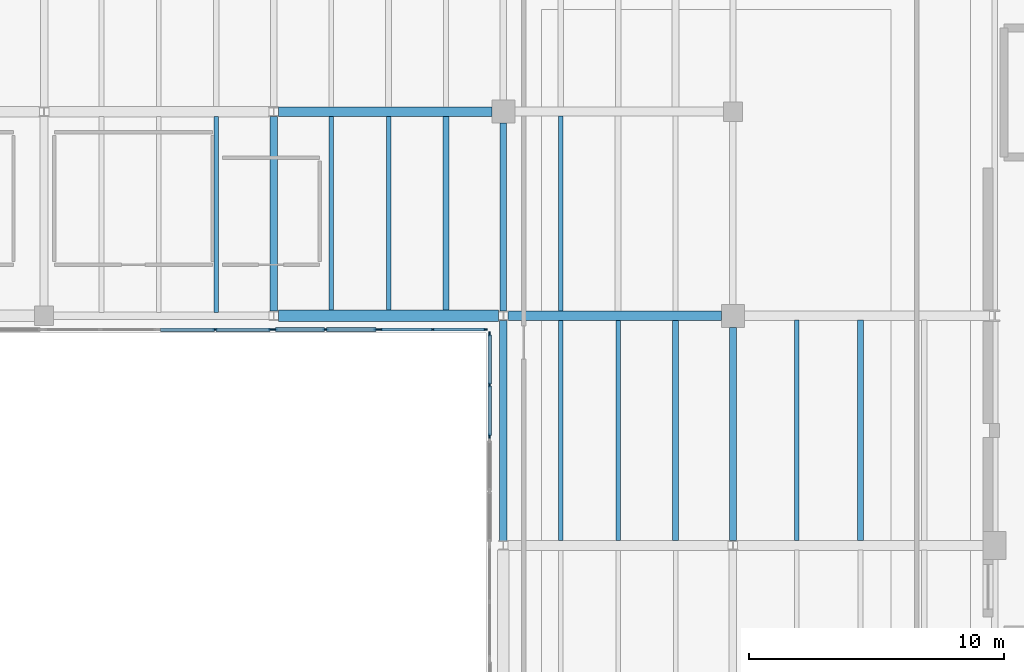
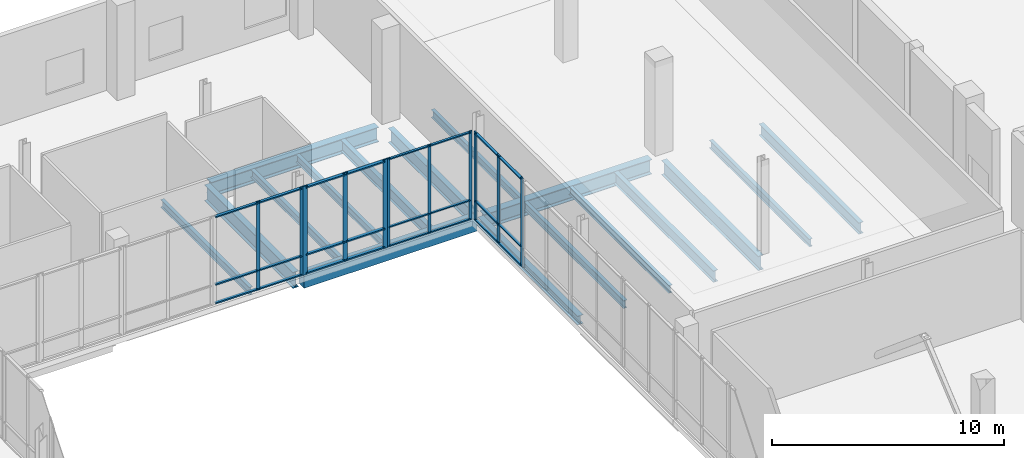
# One storey, part 36 of 81: 35 members, 17 beams, 4 elements without a shape of their own.
"""IFC4 building model written with IfcOpenShell, lengths in metres."""

from ifc_helpers import new_model, si_unit, direction, frame, origin, origin_2d, place, context, subcontext, project, spatial, rectangle, i_section, extrude, material, material_profile, profile_set, type_object, element, aggregate, save


model = new_model("IFC4")

# Units and contexts
model_context = context("Model", 3, precision=1e-05, world=origin(), true_north=direction((0.0, 1.0)))
body_context = subcontext(model_context, "Body", "Model", "MODEL_VIEW")
ifc_project = project(units=[si_unit("LENGTHUNIT", "METRE"), si_unit("AREAUNIT", "SQUARE_METRE"), si_unit("VOLUMEUNIT", "CUBIC_METRE"), si_unit("PLANEANGLEUNIT", "RADIAN"), si_unit("MASSUNIT", "GRAM", prefix="KILO")], contexts=[model_context])

# Site, building, storey
site_placement = place(None, origin())
site = spatial("IfcSite", under=ifc_project, at=site_placement, CompositionType="ELEMENT")
building_placement = place(site_placement, origin())
building = spatial("IfcBuilding", under=site, at=building_placement, Name="Trimount Lyric Opera House", CompositionType="ELEMENT")
storey_placement = place(building_placement, frame((0.0, 0.0, 5.0)))
storey = spatial("IfcBuildingStorey", under=building, at=storey_placement, Name="L01", CompositionType="ELEMENT", Elevation=5.0)

# Beams
ifc_material_1 = material(Name="Steel ASTM A992 Grade 50", Category="steel")
ifc_material_profile_1 = material_profile(ifc_material_1, i_section(OverallWidth=0.2919921875, OverallDepth=0.845947265625, WebThickness=0.015380859375, FlangeThickness=0.0244140625, FilletRadius=0.01806640625, at=origin_2d()), Name="W33X141")
ifc_profile_set_1 = profile_set([ifc_material_profile_1], Name="Steel ASTM A992 Grade 50")
beam_type_1 = type_object("IfcBeamType", Name="B-05", PredefinedType="BEAM", material=ifc_profile_set_1)
beam_1_placement = place(storey_placement, frame((36.0, 102.177978515625, -0.702880859375), z_axis=(0.0, 1.0, 0.0), x_axis=(-1.0, 0.0, 0.0)))
element("IfcBeam", 1, at=beam_1_placement, inside=storey, type_object=beam_type_1, Name="L01 girder Y-0625", PredefinedType="BEAM", context=body_context, shape_type="SweptSolid", body=[
    extrude(i_section(OverallWidth=0.2919921875, OverallDepth=0.845947265625, WebThickness=0.015380859375, FlangeThickness=0.0244140625, FilletRadius=0.01806640625, at=origin_2d()), origin(), (0.0, 0.0, 1.0), 7.637939453125),
])
ifc_material_2 = material(Name="Steel ASTM A992 Grade 50", Category="steel")
ifc_material_profile_2 = material_profile(ifc_material_2, i_section(OverallWidth=0.382080078125, OverallDepth=0.779052734375, WebThickness=0.01806640625, FlangeThickness=0.0302734375, FilletRadius=0.01904296875, at=origin_2d()), Name="W30X191")
ifc_profile_set_2 = profile_set([ifc_material_profile_2], Name="Steel ASTM A992 Grade 50")
beam_type_2 = type_object("IfcBeamType", Name="B-06", PredefinedType="BEAM", material=ifc_profile_set_2)
for number, where, z_axis, x_axis, name in (
    (2, (45.1865234375, 102.0, -0.66943359375), (1.0, 0.0, 0.0), (0.0, 1.0, 0.0), "L01 girder X-0554"),
    (3, (36.1865234375, 110.0, -0.66943359375), (1.0, 0.0, 0.0), (0.0, 1.0, 0.0), "L01 girder X-0567"),
):
    element("IfcBeam", number, at=place(storey_placement, frame(where, z_axis=z_axis, x_axis=x_axis)), inside=storey, type_object=beam_type_2, Name=name, PredefinedType="BEAM", context=body_context, shape_type="SweptSolid", body=[
        extrude(i_section(OverallWidth=0.382080078125, OverallDepth=0.779052734375, WebThickness=0.01806640625, FlangeThickness=0.0302734375, FilletRadius=0.01904296875, at=origin_2d()), origin(), (0.0, 0.0, 1.0), 8.363525390625),
    ])
ifc_material_3 = material(Name="Steel ASTM A992 Grade 50", Category="steel")
ifc_material_profile_3 = material_profile(ifc_material_3, i_section(OverallWidth=0.26708984375, OverallDepth=0.761962890625, WebThickness=0.014404296875, FlangeThickness=0.021484375, FilletRadius=0.01708984375, at=origin_2d()), Name="W30X116")
ifc_profile_set_3 = profile_set([ifc_material_profile_3], Name="Steel ASTM A992 Grade 50")
beam_type_3 = type_object("IfcBeamType", Name="B-07", PredefinedType="BEAM", material=ifc_profile_set_3)
beam_2_placement = place(storey_placement, frame((45.0, 102.18408203125, -0.660888671875), z_axis=(0.0, 1.0, 0.0), x_axis=(-1.0, 0.0, 0.0)))
element("IfcBeam", 4, at=beam_2_placement, inside=storey, type_object=beam_type_3, Name="L01 girder Y-0635", PredefinedType="BEAM", context=body_context, shape_type="SweptSolid", body=[
    extrude(i_section(OverallWidth=0.26708984375, OverallDepth=0.761962890625, WebThickness=0.014404296875, FlangeThickness=0.021484375, FilletRadius=0.01708984375, at=origin_2d()), origin(), (0.0, 0.0, 1.0), 7.365966796875),
])
beam_3_placement = place(storey_placement, frame((54.0, 93.18408203125, -0.660888671875), z_axis=(0.0, 1.0, 0.0), x_axis=(-1.0, 0.0, 0.0)))
element("IfcBeam", 5, at=beam_3_placement, inside=storey, type_object=beam_type_3, Name="L01 girder Y-0644", PredefinedType="BEAM", context=body_context, shape_type="SweptSolid", body=[
    extrude(i_section(OverallWidth=0.26708984375, OverallDepth=0.761962890625, WebThickness=0.014404296875, FlangeThickness=0.021484375, FilletRadius=0.01708984375, at=origin_2d()), origin(), (0.0, 0.0, 1.0), 8.365966796875),
])
ifc_material_4 = material(Name="Steel ASTM A992 Grade 50", Category="steel")
ifc_material_profile_4 = material_profile(ifc_material_4, i_section(OverallWidth=0.22802734375, OverallDepth=0.60205078125, WebThickness=0.010498046875, FlangeThickness=0.014892578125, FilletRadius=0.012939453125, at=origin_2d()), Name="W24X68")
ifc_profile_set_4 = profile_set([ifc_material_profile_4], Name="Steel ASTM A992 Grade 50")
beam_type_4 = type_object("IfcBeamType", Name="J-01", PredefinedType="BEAM", material=ifc_profile_set_4)
beam_4_placement = place(storey_placement, frame((42.75, 102.220947265625, -0.5810546875), z_axis=(0.0, 1.0, 0.0), x_axis=(-1.0, 0.0, 0.0)))
element("IfcBeam", 6, at=beam_4_placement, inside=storey, type_object=beam_type_4, Name="L01 composite floor joist 0629", PredefinedType="BEAM", context=body_context, shape_type="SweptSolid", body=[
    extrude(i_section(OverallWidth=0.22802734375, OverallDepth=0.60205078125, WebThickness=0.010498046875, FlangeThickness=0.014892578125, FilletRadius=0.012939453125, at=origin_2d()), origin(), (0.0, 0.0, 1.0), 7.592041015625),
])
beam_5_placement = place(storey_placement, frame((51.75, 93.196533203125, -0.5810546875), z_axis=(0.0, 1.0, 0.0), x_axis=(-1.0, 0.0, 0.0)))
element("IfcBeam", 7, at=beam_5_placement, inside=storey, type_object=beam_type_4, Name="L01 composite floor joist 0655", PredefinedType="BEAM", context=body_context, shape_type="SweptSolid", body=[
    extrude(i_section(OverallWidth=0.22802734375, OverallDepth=0.60205078125, WebThickness=0.010498046875, FlangeThickness=0.014892578125, FilletRadius=0.012939453125, at=origin_2d()), origin(), (0.0, 0.0, 1.0), 8.616455078125),
])
beam_6_placement = place(storey_placement, frame((59.0, 93.18701171875, -0.5810546875), z_axis=(0.0, 1.0, 0.0), x_axis=(-1.0, 0.0, 0.0)))
element("IfcBeam", 8, at=beam_6_placement, inside=storey, type_object=beam_type_4, Name="L01 composite floor joist 0681", PredefinedType="BEAM", context=body_context, shape_type="SweptSolid", body=[
    extrude(i_section(OverallWidth=0.22802734375, OverallDepth=0.60205078125, WebThickness=0.010498046875, FlangeThickness=0.014892578125, FilletRadius=0.012939453125, at=origin_2d()), origin(), (0.0, 0.0, 1.0), 8.638916015625),
])
ifc_material_5 = material(Name="Steel ASTM A992 Grade 50", Category="steel")
ifc_material_profile_5 = material_profile(ifc_material_5, i_section(OverallWidth=0.180908203125, OverallDepth=0.4169921875, WebThickness=0.010986328125, FlangeThickness=0.018310546875, FilletRadius=0.010986328125, at=origin_2d()), Name="W16X57")
ifc_profile_set_5 = profile_set([ifc_material_profile_5], Name="Steel ASTM A992 Grade 50")
beam_type_5 = type_object("IfcBeamType", Name="J-05", PredefinedType="BEAM", material=ifc_profile_set_5)
beam_7_placement = place(storey_placement, frame((38.25, 102.220947265625, -0.488525390625), z_axis=(0.0, 1.0, 0.0), x_axis=(-1.0, 0.0, 0.0)))
element("IfcBeam", 9, at=beam_7_placement, inside=storey, type_object=beam_type_5, Name="L01 composite floor joist 0627", PredefinedType="BEAM", context=body_context, shape_type="SweptSolid", body=[
    extrude(i_section(OverallWidth=0.180908203125, OverallDepth=0.4169921875, WebThickness=0.010986328125, FlangeThickness=0.018310546875, FilletRadius=0.010986328125, at=origin_2d()), origin(), (0.0, 0.0, 1.0), 7.592041015625),
])
beam_8_placement = place(storey_placement, frame((47.25, 93.196533203125, -0.488525390625), z_axis=(0.0, 1.0, 0.0), x_axis=(-1.0, 0.0, 0.0)))
element("IfcBeam", 10, at=beam_8_placement, inside=storey, type_object=beam_type_5, Name="L01 composite floor joist 0653", PredefinedType="BEAM", context=body_context, shape_type="SweptSolid", body=[
    extrude(i_section(OverallWidth=0.180908203125, OverallDepth=0.4169921875, WebThickness=0.010986328125, FlangeThickness=0.018310546875, FilletRadius=0.010986328125, at=origin_2d()), origin(), (0.0, 0.0, 1.0), 8.616455078125),
])
ifc_material_6 = material(Name="Steel ASTM A992 Grade 50", Category="steel")
ifc_material_profile_6 = material_profile(ifc_material_6, i_section(OverallWidth=0.177978515625, OverallDepth=0.404052734375, WebThickness=0.007568359375, FlangeThickness=0.010986328125, FilletRadius=0.010009765625, at=origin_2d()), Name="W16X36")
ifc_profile_set_6 = profile_set([ifc_material_profile_6], Name="Steel ASTM A992 Grade 50")
beam_type_6 = type_object("IfcBeamType", Name="J-06", PredefinedType="BEAM", material=ifc_profile_set_6)
beam_9_placement = place(storey_placement, frame((33.75, 102.136962890625, -0.48193359375), z_axis=(0.0, 1.0, 0.0), x_axis=(-1.0, 0.0, 0.0)))
element("IfcBeam", 11, at=beam_9_placement, inside=storey, type_object=beam_type_6, Name="L01 composite floor joist 0617", PredefinedType="BEAM", context=body_context, shape_type="SweptSolid", body=[
    extrude(i_section(OverallWidth=0.177978515625, OverallDepth=0.404052734375, WebThickness=0.007568359375, FlangeThickness=0.010986328125, FilletRadius=0.010009765625, at=origin_2d()), origin(), (0.0, 0.0, 1.0), 7.66650390625),
])
beam_10_placement = place(storey_placement, frame((40.5, 102.220947265625, -0.48193359375), z_axis=(0.0, 1.0, 0.0), x_axis=(-1.0, 0.0, 0.0)))
element("IfcBeam", 12, at=beam_10_placement, inside=storey, type_object=beam_type_6, Name="L01 composite floor joist 0628", PredefinedType="BEAM", context=body_context, shape_type="SweptSolid", body=[
    extrude(i_section(OverallWidth=0.177978515625, OverallDepth=0.404052734375, WebThickness=0.007568359375, FlangeThickness=0.010986328125, FilletRadius=0.010009765625, at=origin_2d()), origin(), (0.0, 0.0, 1.0), 7.592041015625),
])
beam_11_placement = place(storey_placement, frame((49.5, 93.196533203125, -0.48193359375), z_axis=(0.0, 1.0, 0.0), x_axis=(-1.0, 0.0, 0.0)))
element("IfcBeam", 13, at=beam_11_placement, inside=storey, type_object=beam_type_6, Name="L01 composite floor joist 0654", PredefinedType="BEAM", context=body_context, shape_type="SweptSolid", body=[
    extrude(i_section(OverallWidth=0.177978515625, OverallDepth=0.404052734375, WebThickness=0.007568359375, FlangeThickness=0.010986328125, FilletRadius=0.010009765625, at=origin_2d()), origin(), (0.0, 0.0, 1.0), 8.616455078125),
])
beam_12_placement = place(storey_placement, frame((47.25, 102.18701171875, -0.48193359375), z_axis=(0.0, 1.0, 0.0), x_axis=(-1.0, 0.0, 0.0)))
element("IfcBeam", 14, at=beam_12_placement, inside=storey, type_object=beam_type_6, Name="L01 composite floor joist 0656", PredefinedType="BEAM", context=body_context, shape_type="SweptSolid", body=[
    extrude(i_section(OverallWidth=0.177978515625, OverallDepth=0.404052734375, WebThickness=0.007568359375, FlangeThickness=0.010986328125, FilletRadius=0.010009765625, at=origin_2d()), origin(), (0.0, 0.0, 1.0), 7.638916015625),
])
beam_13_placement = place(storey_placement, frame((56.5, 93.18701171875, -0.48193359375), z_axis=(0.0, 1.0, 0.0), x_axis=(-1.0, 0.0, 0.0)))
element("IfcBeam", 15, at=beam_13_placement, inside=storey, type_object=beam_type_6, Name="L01 composite floor joist 0680", PredefinedType="BEAM", context=body_context, shape_type="SweptSolid", body=[
    extrude(i_section(OverallWidth=0.177978515625, OverallDepth=0.404052734375, WebThickness=0.007568359375, FlangeThickness=0.010986328125, FilletRadius=0.010009765625, at=origin_2d()), origin(), (0.0, 0.0, 1.0), 8.638916015625),
])

# Curtain wall, members
ifc_material_7 = material(Name="Thermally Broken Aluminium and Low-E Glass", Category="aluminium")
curtain_wall_type = type_object("IfcCurtainWallType", Name="CW-03", PredefinedType="NOTDEFINED", material=ifc_material_7)
curtain_wall_1_placement = place(storey_placement, origin())
curtain_wall_1 = element("IfcCurtainWall", 16, at=curtain_wall_1_placement, inside=storey, type_object=curtain_wall_type, Name="L01 curtain wall 156", PredefinedType="NOTDEFINED")
ifc_material_8 = material(Name="Anodised Aluminium 6063-T6", Category="aluminium")
ifc_material_profile_7 = material_profile(ifc_material_8, rectangle(XDim=0.070068359375, YDim=0.219970703125, at=origin_2d()), Name="ALU-MULL-70X220")
ifc_profile_set_7 = profile_set([ifc_material_profile_7], Name="Anodised Aluminium 6063-T6")
member_type_1 = type_object("IfcMemberType", Name="ML-01", PredefinedType="MULLION", material=ifc_profile_set_7)
member_1_placement = place(storey_placement, frame((40.034912109375, 101.4599609375, 0.0), z_axis=(0.0, 0.0, 1.0), x_axis=(0.0, -1.0, 0.0)))
member_1 = element("IfcMember", 17, at=member_1_placement, type_object=member_type_1, Name="CW-03 mullion 1", PredefinedType="MULLION", context=body_context, shape_type="SweptSolid", body=[
    extrude(rectangle(XDim=0.070068359375, YDim=0.219970703125, at=origin_2d()), origin(), (0.0, 0.0, 1.0), 4.679931640625),
])
member_2_placement = place(storey_placement, frame((38.034912109375, 101.4599609375, 0.0), z_axis=(0.0, 0.0, 1.0), x_axis=(0.0, -1.0, 0.0)))
member_2 = element("IfcMember", 18, at=member_2_placement, type_object=member_type_1, Name="CW-03 mullion 2", PredefinedType="MULLION", context=body_context, shape_type="SweptSolid", body=[
    extrude(rectangle(XDim=0.070068359375, YDim=0.219970703125, at=origin_2d()), origin(), (0.0, 0.0, 1.0), 4.679931640625),
])
member_3_placement = place(storey_placement, frame((36.034912109375, 101.4599609375, 0.0), z_axis=(0.0, 0.0, 1.0), x_axis=(0.0, -1.0, 0.0)))
member_3 = element("IfcMember", 19, at=member_3_placement, type_object=member_type_1, Name="CW-03 mullion 3", PredefinedType="MULLION", context=body_context, shape_type="SweptSolid", body=[
    extrude(rectangle(XDim=0.070068359375, YDim=0.219970703125, at=origin_2d()), origin(), (0.0, 0.0, 1.0), 4.679931640625),
])

curtain_wall_2_placement = place(storey_placement, origin())
curtain_wall_2 = element("IfcCurtainWall", 20, at=curtain_wall_2_placement, inside=storey, type_object=curtain_wall_type, Name="L01 curtain wall 154", PredefinedType="NOTDEFINED")
ifc_material_9 = material(Name="Anodised Aluminium 6063-T6", Category="aluminium")
ifc_material_profile_8 = material_profile(ifc_material_9, rectangle(XDim=0.06494140625, YDim=0.179931640625, at=origin_2d()), Name="ALU-MULL-65X180")
ifc_profile_set_8 = profile_set([ifc_material_profile_8], Name="Anodised Aluminium 6063-T6")
member_type_2 = type_object("IfcMemberType", Name="ML-02", PredefinedType="MULLION", material=ifc_profile_set_8)
member_4_placement = place(storey_placement, frame((44.4599609375, 97.282470703125, 0.0), z_axis=(0.0, 0.0, 1.0), x_axis=(-1.0, 0.0, 0.0)))
member_4 = element("IfcMember", 21, at=member_4_placement, type_object=member_type_2, Name="CW-03 mullion 1", PredefinedType="MULLION", context=body_context, shape_type="SweptSolid", body=[
    extrude(rectangle(XDim=0.06494140625, YDim=0.179931640625, at=origin_2d()), origin(), (0.0, 0.0, 1.0), 4.679931640625),
])
member_5_placement = place(storey_placement, frame((44.4599609375, 99.284912109375, 0.0), z_axis=(0.0, 0.0, 1.0), x_axis=(-1.0, 0.0, 0.0)))
member_5 = element("IfcMember", 22, at=member_5_placement, type_object=member_type_2, Name="CW-03 mullion 2", PredefinedType="MULLION", context=body_context, shape_type="SweptSolid", body=[
    extrude(rectangle(XDim=0.06494140625, YDim=0.179931640625, at=origin_2d()), origin(), (0.0, 0.0, 1.0), 4.679931640625),
])
member_6_placement = place(storey_placement, frame((44.4599609375, 101.28759765625, 0.0), z_axis=(0.0, 0.0, 1.0), x_axis=(-1.0, 0.0, 0.0)))
member_6 = element("IfcMember", 23, at=member_6_placement, type_object=member_type_2, Name="CW-03 mullion 3", PredefinedType="MULLION", context=body_context, shape_type="SweptSolid", body=[
    extrude(rectangle(XDim=0.06494140625, YDim=0.179931640625, at=origin_2d()), origin(), (0.0, 0.0, 1.0), 4.679931640625),
])

curtain_wall_3_placement = place(storey_placement, origin())
curtain_wall_3 = element("IfcCurtainWall", 24, at=curtain_wall_3_placement, inside=storey, type_object=curtain_wall_type, Name="L01 curtain wall 157", PredefinedType="NOTDEFINED")
member_7_placement = place(storey_placement, frame((35.87744140625, 101.4599609375, 0.0), z_axis=(0.0, 0.0, 1.0), x_axis=(0.0, -1.0, 0.0)))
member_7 = element("IfcMember", 25, at=member_7_placement, type_object=member_type_2, Name="CW-03 mullion 1", PredefinedType="MULLION", context=body_context, shape_type="SweptSolid", body=[
    extrude(rectangle(XDim=0.06494140625, YDim=0.179931640625, at=origin_2d()), origin(), (0.0, 0.0, 1.0), 4.679931640625),
])
member_8_placement = place(storey_placement, frame((33.705078125, 101.4599609375, 0.0), z_axis=(0.0, 0.0, 1.0), x_axis=(0.0, -1.0, 0.0)))
member_8 = element("IfcMember", 26, at=member_8_placement, type_object=member_type_2, Name="CW-03 mullion 2", PredefinedType="MULLION", context=body_context, shape_type="SweptSolid", body=[
    extrude(rectangle(XDim=0.06494140625, YDim=0.179931640625, at=origin_2d()), origin(), (0.0, 0.0, 1.0), 4.679931640625),
])

curtain_wall_4_placement = place(storey_placement, origin())
curtain_wall_4 = element("IfcCurtainWall", 27, at=curtain_wall_4_placement, inside=storey, type_object=curtain_wall_type, Name="L01 curtain wall 155", PredefinedType="NOTDEFINED")
ifc_material_10 = material(Name="Anodised Aluminium 6063-T6", Category="aluminium")
ifc_material_profile_9 = material_profile(ifc_material_10, rectangle(XDim=0.06005859375, YDim=0.14990234375, at=origin_2d()), Name="ALU-MULL-60X150")
ifc_profile_set_9 = profile_set([ifc_material_profile_9], Name="Anodised Aluminium 6063-T6")
member_type_3 = type_object("IfcMemberType", Name="ML-03", PredefinedType="MULLION", material=ifc_profile_set_9)
member_9_placement = place(storey_placement, frame((44.2900390625, 101.4599609375, 0.0), z_axis=(0.0, 0.0, 1.0), x_axis=(0.0, -1.0, 0.0)))
member_9 = element("IfcMember", 28, at=member_9_placement, type_object=member_type_3, Name="CW-03 mullion 1", PredefinedType="MULLION", context=body_context, shape_type="SweptSolid", body=[
    extrude(rectangle(XDim=0.06005859375, YDim=0.14990234375, at=origin_2d()), origin(), (0.0, 0.0, 1.0), 4.679931640625),
])
member_10_placement = place(storey_placement, frame((42.239990234375, 101.4599609375, 0.0), z_axis=(0.0, 0.0, 1.0), x_axis=(0.0, -1.0, 0.0)))
member_10 = element("IfcMember", 29, at=member_10_placement, type_object=member_type_3, Name="CW-03 mullion 2", PredefinedType="MULLION", context=body_context, shape_type="SweptSolid", body=[
    extrude(rectangle(XDim=0.06005859375, YDim=0.14990234375, at=origin_2d()), origin(), (0.0, 0.0, 1.0), 4.679931640625),
])
member_11_placement = place(storey_placement, frame((40.18994140625, 101.4599609375, 0.0), z_axis=(0.0, 0.0, 1.0), x_axis=(0.0, -1.0, 0.0)))
member_11 = element("IfcMember", 30, at=member_11_placement, type_object=member_type_3, Name="CW-03 mullion 3", PredefinedType="MULLION", context=body_context, shape_type="SweptSolid", body=[
    extrude(rectangle(XDim=0.06005859375, YDim=0.14990234375, at=origin_2d()), origin(), (0.0, 0.0, 1.0), 4.679931640625),
])

# Beams
ifc_material_11 = material(Name="Steel ASTM A992 Grade 50", Category="steel")
ifc_material_profile_10 = material_profile(ifc_material_11, i_section(OverallWidth=0.281982421875, OverallDepth=0.467041015625, WebThickness=0.01220703125, FlangeThickness=0.01953125, FilletRadius=0.012939453125, at=origin_2d()), Name="W18X86")
ifc_profile_set_10 = profile_set([ifc_material_profile_10], Name="Steel ASTM A992 Grade 50")
beam_type_7 = type_object("IfcBeamType", Name="SP-01", PredefinedType="SPANDREL", material=ifc_profile_set_10)
beam_14_placement = place(storey_placement, frame((45.0, 93.177978515625, -0.513427734375), z_axis=(0.0, 1.0, 0.0), x_axis=(-1.0, 0.0, 0.0)))
element("IfcBeam", 31, at=beam_14_placement, inside=storey, type_object=beam_type_7, Name="L01 girder Y-0634", PredefinedType="SPANDREL", context=body_context, shape_type="SweptSolid", body=[
    extrude(i_section(OverallWidth=0.281982421875, OverallDepth=0.467041015625, WebThickness=0.01220703125, FlangeThickness=0.01953125, FilletRadius=0.012939453125, at=origin_2d()), origin(), (0.0, 0.0, 1.0), 8.637939453125),
])
ifc_material_12 = material(Name="Concrete C40/50", Category="concrete")
ifc_material_profile_11 = material_profile(ifc_material_12, rectangle(XDim=0.449951171875, YDim=0.699951171875, at=origin_2d()), Name="RC450X700")
ifc_profile_set_11 = profile_set([ifc_material_profile_11], Name="Concrete C40/50")
beam_type_8 = type_object("IfcBeamType", Name="SP-02", PredefinedType="SPANDREL", material=ifc_profile_set_11)
beam_15_placement = place(storey_placement, frame((36.18408203125, 102.0, -0.6298828125), z_axis=(1.0, 0.0, 0.0), x_axis=(0.0, 1.0, 0.0)))
element("IfcBeam", 32, at=beam_15_placement, inside=storey, type_object=beam_type_8, Name="L01 girder X-0553", PredefinedType="SPANDREL", context=body_context, shape_type="SweptSolid", body=[
    extrude(rectangle(XDim=0.449951171875, YDim=0.699951171875, at=origin_2d()), origin(), (0.0, 0.0, 1.0), 8.62939453125),
])

# Member
ifc_material_13 = material(Name="Anodised Aluminium 6063-T6", Category="aluminium")
ifc_material_profile_12 = material_profile(ifc_material_13, rectangle(XDim=0.159912109375, YDim=0.070068359375, at=origin_2d()), Name="ALU-TRAN-70X160")
ifc_profile_set_12 = profile_set([ifc_material_profile_12], Name="Anodised Aluminium 6063-T6")
member_type_4 = type_object("IfcMemberType", Name="TR-01", PredefinedType="USERDEFINED", material=ifc_profile_set_12)
member_12_placement = place(storey_placement, frame((40.0, 101.4599609375, 0.080078125), z_axis=(-1.0, 0.0, 0.0), x_axis=(0.0, -1.0, 0.0)))
member_12 = element("IfcMember", 33, at=member_12_placement, type_object=member_type_4, Name="CW-03 transom 1.1", ObjectType="TRANSOM", PredefinedType="USERDEFINED", context=body_context, shape_type="SweptSolid", body=[
    extrude(rectangle(XDim=0.159912109375, YDim=0.070068359375, at=origin_2d()), origin(), (0.0, 0.0, 1.0), 1.929931640625),
])

member_13_placement = place(storey_placement, frame((40.0, 101.4599609375, 1.050048828125), z_axis=(-1.0, 0.0, 0.0), x_axis=(0.0, -1.0, 0.0)))
member_13 = element("IfcMember", 34, at=member_13_placement, type_object=member_type_4, Name="CW-03 transom 1.2", ObjectType="TRANSOM", PredefinedType="USERDEFINED", context=body_context, shape_type="SweptSolid", body=[
    extrude(rectangle(XDim=0.159912109375, YDim=0.070068359375, at=origin_2d()), origin(), (0.0, 0.0, 1.0), 1.929931640625),
])

member_14_placement = place(storey_placement, frame((40.0, 101.4599609375, 4.60009765625), z_axis=(-1.0, 0.0, 0.0), x_axis=(0.0, -1.0, 0.0)))
member_14 = element("IfcMember", 35, at=member_14_placement, type_object=member_type_4, Name="CW-03 transom 1.3", ObjectType="TRANSOM", PredefinedType="USERDEFINED", context=body_context, shape_type="SweptSolid", body=[
    extrude(rectangle(XDim=0.159912109375, YDim=0.070068359375, at=origin_2d()), origin(), (0.0, 0.0, 1.0), 1.929931640625),
])

member_15_placement = place(storey_placement, frame((38.0, 101.4599609375, 0.080078125), z_axis=(-1.0, 0.0, 0.0), x_axis=(0.0, -1.0, 0.0)))
member_15 = element("IfcMember", 36, at=member_15_placement, type_object=member_type_4, Name="CW-03 transom 2.1", ObjectType="TRANSOM", PredefinedType="USERDEFINED", context=body_context, shape_type="SweptSolid", body=[
    extrude(rectangle(XDim=0.159912109375, YDim=0.070068359375, at=origin_2d()), origin(), (0.0, 0.0, 1.0), 1.929931640625),
])

member_16_placement = place(storey_placement, frame((38.0, 101.4599609375, 1.050048828125), z_axis=(-1.0, 0.0, 0.0), x_axis=(0.0, -1.0, 0.0)))
member_16 = element("IfcMember", 37, at=member_16_placement, type_object=member_type_4, Name="CW-03 transom 2.2", ObjectType="TRANSOM", PredefinedType="USERDEFINED", context=body_context, shape_type="SweptSolid", body=[
    extrude(rectangle(XDim=0.159912109375, YDim=0.070068359375, at=origin_2d()), origin(), (0.0, 0.0, 1.0), 1.929931640625),
])

member_17_placement = place(storey_placement, frame((38.0, 101.4599609375, 4.60009765625), z_axis=(-1.0, 0.0, 0.0), x_axis=(0.0, -1.0, 0.0)))
member_17 = element("IfcMember", 38, at=member_17_placement, type_object=member_type_4, Name="CW-03 transom 2.3", ObjectType="TRANSOM", PredefinedType="USERDEFINED", context=body_context, shape_type="SweptSolid", body=[
    extrude(rectangle(XDim=0.159912109375, YDim=0.070068359375, at=origin_2d()), origin(), (0.0, 0.0, 1.0), 1.929931640625),
])

aggregate(curtain_wall_1, [member_1, member_2, member_3, member_12, member_13, member_14, member_15, member_16, member_17])

ifc_material_14 = material(Name="Anodised Aluminium 6063-T6", Category="aluminium")
ifc_material_profile_13 = material_profile(ifc_material_14, rectangle(XDim=0.135009765625, YDim=0.06494140625, at=origin_2d()), Name="ALU-TRAN-65X135")
ifc_profile_set_13 = profile_set([ifc_material_profile_13], Name="Anodised Aluminium 6063-T6")
member_type_5 = type_object("IfcMemberType", Name="TR-02", PredefinedType="USERDEFINED", material=ifc_profile_set_13)
member_18_placement = place(storey_placement, frame((44.4599609375, 97.31494140625, 0.0673828125), z_axis=(0.0, 1.0, 0.0), x_axis=(-1.0, 0.0, 0.0)))
member_18 = element("IfcMember", 39, at=member_18_placement, type_object=member_type_5, Name="CW-03 transom 1.1", ObjectType="TRANSOM", PredefinedType="USERDEFINED", context=body_context, shape_type="SweptSolid", body=[
    extrude(rectangle(XDim=0.135009765625, YDim=0.06494140625, at=origin_2d()), origin(), (0.0, 0.0, 1.0), 1.9375),
])

member_19_placement = place(storey_placement, frame((44.4599609375, 97.31494140625, 1.050048828125), z_axis=(0.0, 1.0, 0.0), x_axis=(-1.0, 0.0, 0.0)))
member_19 = element("IfcMember", 40, at=member_19_placement, type_object=member_type_5, Name="CW-03 transom 1.2", ObjectType="TRANSOM", PredefinedType="USERDEFINED", context=body_context, shape_type="SweptSolid", body=[
    extrude(rectangle(XDim=0.135009765625, YDim=0.06494140625, at=origin_2d()), origin(), (0.0, 0.0, 1.0), 1.9375),
])

member_20_placement = place(storey_placement, frame((44.4599609375, 97.31494140625, 4.612548828125), z_axis=(0.0, 1.0, 0.0), x_axis=(-1.0, 0.0, 0.0)))
member_20 = element("IfcMember", 41, at=member_20_placement, type_object=member_type_5, Name="CW-03 transom 1.3", ObjectType="TRANSOM", PredefinedType="USERDEFINED", context=body_context, shape_type="SweptSolid", body=[
    extrude(rectangle(XDim=0.135009765625, YDim=0.06494140625, at=origin_2d()), origin(), (0.0, 0.0, 1.0), 1.9375),
])

member_21_placement = place(storey_placement, frame((44.4599609375, 99.3173828125, 0.0673828125), z_axis=(0.0, 1.0, 0.0), x_axis=(-1.0, 0.0, 0.0)))
member_21 = element("IfcMember", 42, at=member_21_placement, type_object=member_type_5, Name="CW-03 transom 2.1", ObjectType="TRANSOM", PredefinedType="USERDEFINED", context=body_context, shape_type="SweptSolid", body=[
    extrude(rectangle(XDim=0.135009765625, YDim=0.06494140625, at=origin_2d()), origin(), (0.0, 0.0, 1.0), 1.9375),
])

member_22_placement = place(storey_placement, frame((44.4599609375, 99.3173828125, 1.050048828125), z_axis=(0.0, 1.0, 0.0), x_axis=(-1.0, 0.0, 0.0)))
member_22 = element("IfcMember", 43, at=member_22_placement, type_object=member_type_5, Name="CW-03 transom 2.2", ObjectType="TRANSOM", PredefinedType="USERDEFINED", context=body_context, shape_type="SweptSolid", body=[
    extrude(rectangle(XDim=0.135009765625, YDim=0.06494140625, at=origin_2d()), origin(), (0.0, 0.0, 1.0), 1.9375),
])

member_23_placement = place(storey_placement, frame((44.4599609375, 99.3173828125, 4.612548828125), z_axis=(0.0, 1.0, 0.0), x_axis=(-1.0, 0.0, 0.0)))
member_23 = element("IfcMember", 44, at=member_23_placement, type_object=member_type_5, Name="CW-03 transom 2.3", ObjectType="TRANSOM", PredefinedType="USERDEFINED", context=body_context, shape_type="SweptSolid", body=[
    extrude(rectangle(XDim=0.135009765625, YDim=0.06494140625, at=origin_2d()), origin(), (0.0, 0.0, 1.0), 1.9375),
])

aggregate(curtain_wall_2, [member_4, member_5, member_6, member_18, member_19, member_20, member_21, member_22, member_23])

member_24_placement = place(storey_placement, frame((35.844970703125, 101.4599609375, 0.0673828125), z_axis=(-1.0, 0.0, 0.0), x_axis=(0.0, -1.0, 0.0)))
member_24 = element("IfcMember", 45, at=member_24_placement, type_object=member_type_5, Name="CW-03 transom 1.1", ObjectType="TRANSOM", PredefinedType="USERDEFINED", context=body_context, shape_type="SweptSolid", body=[
    extrude(rectangle(XDim=0.135009765625, YDim=0.06494140625, at=origin_2d()), origin(), (0.0, 0.0, 1.0), 2.107421875),
])

member_25_placement = place(storey_placement, frame((35.844970703125, 101.4599609375, 1.050048828125), z_axis=(-1.0, 0.0, 0.0), x_axis=(0.0, -1.0, 0.0)))
member_25 = element("IfcMember", 46, at=member_25_placement, type_object=member_type_5, Name="CW-03 transom 1.2", ObjectType="TRANSOM", PredefinedType="USERDEFINED", context=body_context, shape_type="SweptSolid", body=[
    extrude(rectangle(XDim=0.135009765625, YDim=0.06494140625, at=origin_2d()), origin(), (0.0, 0.0, 1.0), 2.107421875),
])

member_26_placement = place(storey_placement, frame((35.844970703125, 101.4599609375, 4.612548828125), z_axis=(-1.0, 0.0, 0.0), x_axis=(0.0, -1.0, 0.0)))
member_26 = element("IfcMember", 47, at=member_26_placement, type_object=member_type_5, Name="CW-03 transom 1.3", ObjectType="TRANSOM", PredefinedType="USERDEFINED", context=body_context, shape_type="SweptSolid", body=[
    extrude(rectangle(XDim=0.135009765625, YDim=0.06494140625, at=origin_2d()), origin(), (0.0, 0.0, 1.0), 2.107421875),
])

member_27_placement = place(storey_placement, frame((33.672607421875, 101.4599609375, 0.0673828125), z_axis=(-1.0, 0.0, 0.0), x_axis=(0.0, -1.0, 0.0)))
member_27 = element("IfcMember", 48, at=member_27_placement, type_object=member_type_5, Name="CW-03 transom 2.1", ObjectType="TRANSOM", PredefinedType="USERDEFINED", context=body_context, shape_type="SweptSolid", body=[
    extrude(rectangle(XDim=0.135009765625, YDim=0.06494140625, at=origin_2d()), origin(), (0.0, 0.0, 1.0), 2.107666015625),
])

member_28_placement = place(storey_placement, frame((33.672607421875, 101.4599609375, 1.050048828125), z_axis=(-1.0, 0.0, 0.0), x_axis=(0.0, -1.0, 0.0)))
member_28 = element("IfcMember", 49, at=member_28_placement, type_object=member_type_5, Name="CW-03 transom 2.2", ObjectType="TRANSOM", PredefinedType="USERDEFINED", context=body_context, shape_type="SweptSolid", body=[
    extrude(rectangle(XDim=0.135009765625, YDim=0.06494140625, at=origin_2d()), origin(), (0.0, 0.0, 1.0), 2.107666015625),
])

member_29_placement = place(storey_placement, frame((33.672607421875, 101.4599609375, 4.612548828125), z_axis=(-1.0, 0.0, 0.0), x_axis=(0.0, -1.0, 0.0)))
member_29 = element("IfcMember", 50, at=member_29_placement, type_object=member_type_5, Name="CW-03 transom 2.3", ObjectType="TRANSOM", PredefinedType="USERDEFINED", context=body_context, shape_type="SweptSolid", body=[
    extrude(rectangle(XDim=0.135009765625, YDim=0.06494140625, at=origin_2d()), origin(), (0.0, 0.0, 1.0), 2.107666015625),
])

aggregate(curtain_wall_3, [member_7, member_8, member_24, member_25, member_26, member_27, member_28, member_29])

ifc_material_15 = material(Name="Anodised Aluminium 6063-T6", Category="aluminium")
ifc_material_profile_14 = material_profile(ifc_material_15, rectangle(XDim=0.114990234375, YDim=0.06005859375, at=origin_2d()), Name="ALU-TRAN-60X115")
ifc_profile_set_14 = profile_set([ifc_material_profile_14], Name="Anodised Aluminium 6063-T6")
member_type_6 = type_object("IfcMemberType", Name="TR-03", PredefinedType="USERDEFINED", material=ifc_profile_set_14)
member_30_placement = place(storey_placement, frame((44.260009765625, 101.4599609375, 0.0576171875), z_axis=(-1.0, 0.0, 0.0), x_axis=(0.0, -1.0, 0.0)))
member_30 = element("IfcMember", 51, at=member_30_placement, type_object=member_type_6, Name="CW-03 transom 1.1", ObjectType="TRANSOM", PredefinedType="USERDEFINED", context=body_context, shape_type="SweptSolid", body=[
    extrude(rectangle(XDim=0.114990234375, YDim=0.06005859375, at=origin_2d()), origin(), (0.0, 0.0, 1.0), 1.989990234375),
])

member_31_placement = place(storey_placement, frame((44.260009765625, 101.4599609375, 1.050048828125), z_axis=(-1.0, 0.0, 0.0), x_axis=(0.0, -1.0, 0.0)))
member_31 = element("IfcMember", 52, at=member_31_placement, type_object=member_type_6, Name="CW-03 transom 1.2", ObjectType="TRANSOM", PredefinedType="USERDEFINED", context=body_context, shape_type="SweptSolid", body=[
    extrude(rectangle(XDim=0.114990234375, YDim=0.06005859375, at=origin_2d()), origin(), (0.0, 0.0, 1.0), 1.989990234375),
])

member_32_placement = place(storey_placement, frame((44.260009765625, 101.4599609375, 4.62255859375), z_axis=(-1.0, 0.0, 0.0), x_axis=(0.0, -1.0, 0.0)))
member_32 = element("IfcMember", 53, at=member_32_placement, type_object=member_type_6, Name="CW-03 transom 1.3", ObjectType="TRANSOM", PredefinedType="USERDEFINED", context=body_context, shape_type="SweptSolid", body=[
    extrude(rectangle(XDim=0.114990234375, YDim=0.06005859375, at=origin_2d()), origin(), (0.0, 0.0, 1.0), 1.989990234375),
])

member_33_placement = place(storey_placement, frame((42.2099609375, 101.4599609375, 0.0576171875), z_axis=(-1.0, 0.0, 0.0), x_axis=(0.0, -1.0, 0.0)))
member_33 = element("IfcMember", 54, at=member_33_placement, type_object=member_type_6, Name="CW-03 transom 2.1", ObjectType="TRANSOM", PredefinedType="USERDEFINED", context=body_context, shape_type="SweptSolid", body=[
    extrude(rectangle(XDim=0.114990234375, YDim=0.06005859375, at=origin_2d()), origin(), (0.0, 0.0, 1.0), 1.989990234375),
])

member_34_placement = place(storey_placement, frame((42.2099609375, 101.4599609375, 1.050048828125), z_axis=(-1.0, 0.0, 0.0), x_axis=(0.0, -1.0, 0.0)))
member_34 = element("IfcMember", 55, at=member_34_placement, type_object=member_type_6, Name="CW-03 transom 2.2", ObjectType="TRANSOM", PredefinedType="USERDEFINED", context=body_context, shape_type="SweptSolid", body=[
    extrude(rectangle(XDim=0.114990234375, YDim=0.06005859375, at=origin_2d()), origin(), (0.0, 0.0, 1.0), 1.989990234375),
])

member_35_placement = place(storey_placement, frame((42.2099609375, 101.4599609375, 4.62255859375), z_axis=(-1.0, 0.0, 0.0), x_axis=(0.0, -1.0, 0.0)))
member_35 = element("IfcMember", 56, at=member_35_placement, type_object=member_type_6, Name="CW-03 transom 2.3", ObjectType="TRANSOM", PredefinedType="USERDEFINED", context=body_context, shape_type="SweptSolid", body=[
    extrude(rectangle(XDim=0.114990234375, YDim=0.06005859375, at=origin_2d()), origin(), (0.0, 0.0, 1.0), 1.989990234375),
])

aggregate(curtain_wall_4, [member_9, member_10, member_11, member_30, member_31, member_32, member_33, member_34, member_35])

save(model, "model.ifc")
